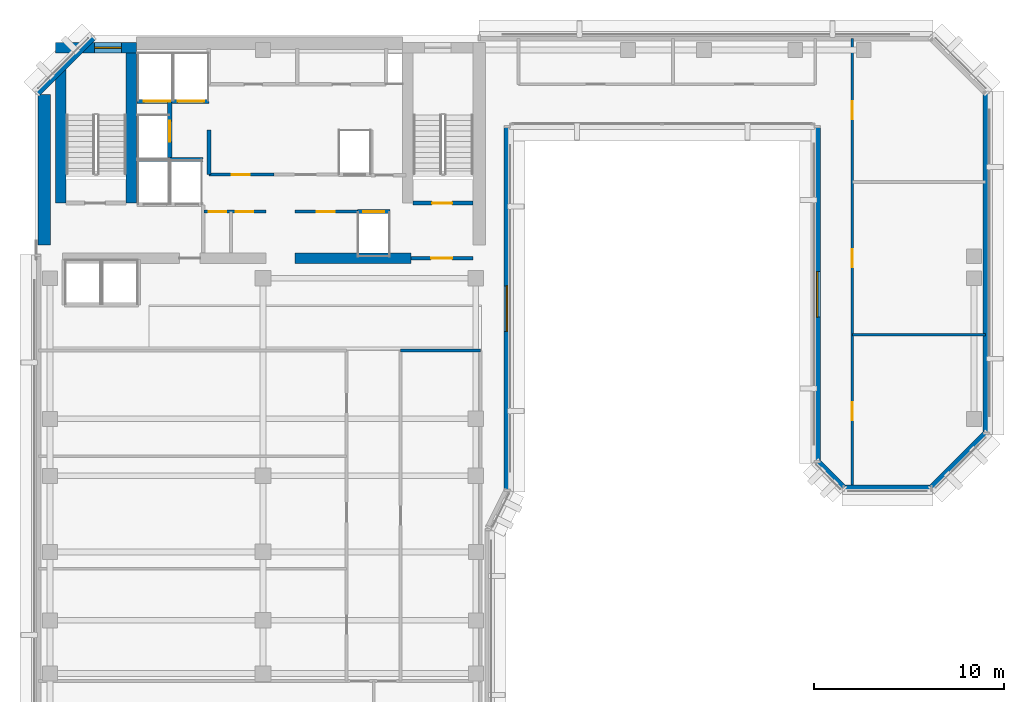
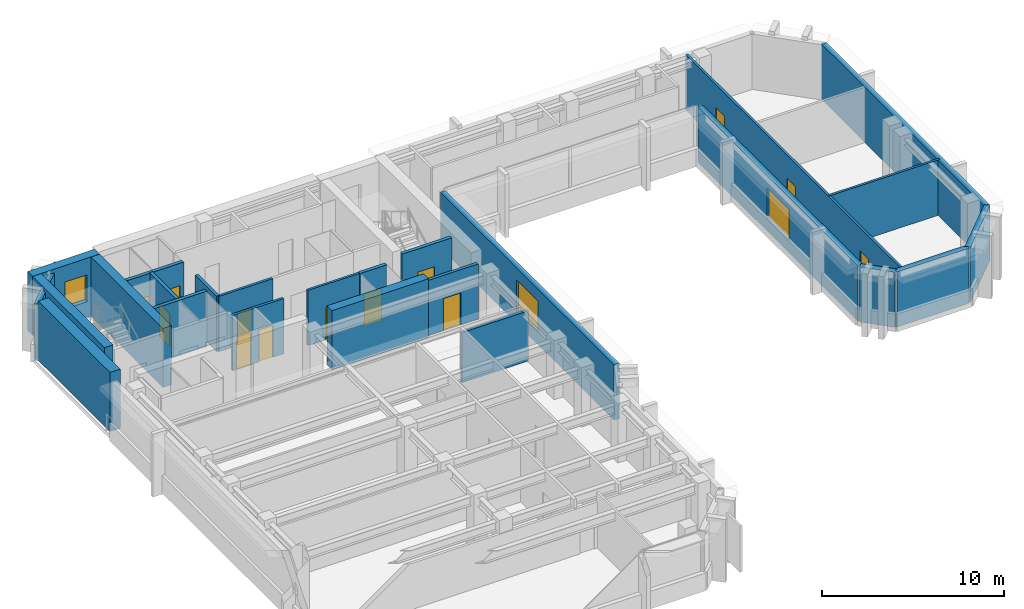
# One storey, part 6 of 11: 25 walls, 13 doors, 3 windows, 16 openings.
"""IFC4 building model written with IfcOpenShell, lengths in metres."""

from ifc_helpers import new_model, si_unit, direction, frame, frame_2d, origin, place, context, subcontext, project, spatial, rectangle, extrude, material, layer, layer_set, type_object, element, fill, save


model = new_model("IFC4")

# Units and contexts
model_context = context("Model", 3, precision=1e-05, world=origin(), true_north=direction((0.0, 1.0)))
body_context = subcontext(model_context, "Body", "Model", "MODEL_VIEW")
ifc_project = project(units=[si_unit("LENGTHUNIT", "METRE"), si_unit("AREAUNIT", "SQUARE_METRE"), si_unit("VOLUMEUNIT", "CUBIC_METRE"), si_unit("PLANEANGLEUNIT", "RADIAN"), si_unit("MASSUNIT", "GRAM", prefix="KILO")], contexts=[model_context])

# Site, building, storey
site_placement = place(None, origin())
site = spatial("IfcSite", under=ifc_project, at=site_placement, CompositionType="ELEMENT")
building_placement = place(site_placement, origin())
building = spatial("IfcBuilding", under=site, at=building_placement, Name="Kefirva Bronze Tower", CompositionType="ELEMENT")
storey_placement = place(building_placement, frame((0.0, 0.0, 223.739990234375)))
storey = spatial("IfcBuildingStorey", under=building, at=storey_placement, Name="L54", CompositionType="ELEMENT", Elevation=223.739990234375)

# Wall, opening, door
ifc_material_1 = material(Name="Gypsum acoustic partition")
ifc_layer_1 = layer(ifc_material_1, 0.14990234375, Name="Gypsum acoustic partition")
ifc_layer_set_1 = layer_set([ifc_layer_1], Name="Gypsum acoustic partition")
wall_type_1 = type_object("IfcWallType", Name="Executive Suite Partition 150mm", PredefinedType="PARTITIONING", material=ifc_layer_set_1)
wall_1_placement = place(storey_placement, frame((13.679931640625, 36.699951171875, 0.0), z_axis=(0.0, 0.0, 1.0), x_axis=(1.0, 0.0, 0.0)))
wall_1 = element("IfcWall", 1, at=wall_1_placement, inside=storey, type_object=wall_type_1, Name="L54 Partition W-L54-RECMP1", PredefinedType="PARTITIONING", context=body_context, shape_type="SweptSolid", body=[
    extrude(rectangle(XDim=3.280029296875, YDim=0.14990234375, at=frame_2d((1.64013671875, 0.0))), origin(), (0.0, 0.0, 1.0), 3.7099609375),
])
opening_1_placement = place(wall_1_placement, frame((1.14990234375, 0.0, 0.0)))
opening_1 = element("IfcOpeningElement", 2, at=opening_1_placement, cuts=wall_1, Name="Opening L54-D-RECMP1", PredefinedType="OPENING", context=body_context, shape_type="SweptSolid", body=[
    extrude(rectangle(XDim=0.949951171875, YDim=2.14990234375, at=frame_2d((0.47509765625, 1.074951171875))), frame((0.0, 0.0849609375, 0.0), z_axis=(0.0, -1.0, 0.0), x_axis=(1.0, 0.0, 0.0)), (0.0, 0.0, 1.0), 0.169921875),
])
ifc_material_2 = material(Name="Acoustic hardwood oak", Category="wood")
door_type_1 = type_object("IfcDoorType", Name="Office & Meeting Room Door 950x2150", OperationType="NOTDEFINED", PredefinedType="DOOR", material=ifc_material_2)
door_1_placement = place(opening_1_placement, origin())
door_1 = element("IfcDoor", 3, at=door_1_placement, inside=storey, type_object=door_type_1, Name="Door L54-D-RECMP1", OperationType="SINGLE_SWING_RIGHT", OverallHeight=2.14990234375, OverallWidth=0.949951171875, PredefinedType="DOOR", context=body_context, shape_type="SweptSolid", body=[
    extrude(rectangle(XDim=0.949951171875, YDim=2.14990234375, at=frame_2d((0.47509765625, 1.074951171875))), frame((0.0, 0.02490234375, 0.0), z_axis=(0.0, -1.0, 0.0), x_axis=(1.0, 0.0, 0.0)), (0.0, 0.0, 1.0), 0.050048828125),
])
fill(opening_1, door_1)

# Wall, openings, doors
wall_2_placement = place(storey_placement, frame((43.0, 22.18994140625, 0.0), z_axis=(0.0, 0.0, 1.0), x_axis=(0.0, 1.0, 0.0)))
wall_2 = element("IfcWall", 4, at=wall_2_placement, inside=storey, type_object=wall_type_1, Name="L54 Partition W-L54-PVEST", PredefinedType="PARTITIONING", context=body_context, shape_type="SweptSolid", body=[
    extrude(rectangle(XDim=23.6201171875, YDim=0.14990234375, at=frame_2d((11.81005859375, 0.0))), origin(), (0.0, 0.0, 1.0), 3.7099609375),
])
opening_2_placement = place(wall_2_placement, frame((3.540283203125, 0.0, 0.0)))
opening_2 = element("IfcOpeningElement", 5, at=opening_2_placement, cuts=wall_2, Name="Opening L54-D-EPV1", PredefinedType="OPENING", context=body_context, shape_type="SweptSolid", body=[
    extrude(rectangle(XDim=0.949951171875, YDim=2.14990234375, at=frame_2d((0.47509765625, 1.074951171875))), frame((0.0, 0.0849609375, 0.0), z_axis=(0.0, -1.0, 0.0), x_axis=(1.0, 0.0, 0.0)), (0.0, 0.0, 1.0), 0.169921875),
])
opening_3_placement = place(wall_2_placement, frame((11.5712890625, 0.0, 0.0)))
opening_3 = element("IfcOpeningElement", 6, at=opening_3_placement, cuts=wall_2, Name="Opening L54-D-EPV2", PredefinedType="OPENING", context=body_context, shape_type="SweptSolid", body=[
    extrude(rectangle(XDim=0.949951171875, YDim=2.14990234375, at=frame_2d((0.47509765625, 1.074951171875))), frame((0.0, 0.0849609375, 0.0), z_axis=(0.0, -1.0, 0.0), x_axis=(1.0, 0.0, 0.0)), (0.0, 0.0, 1.0), 0.169921875),
])
opening_4_placement = place(wall_2_placement, frame((19.36572265625, 0.0, 0.0)))
opening_4 = element("IfcOpeningElement", 7, at=opening_4_placement, cuts=wall_2, Name="Opening L54-D-EPV3", PredefinedType="OPENING", context=body_context, shape_type="SweptSolid", body=[
    extrude(rectangle(XDim=0.949951171875, YDim=2.14990234375, at=frame_2d((0.47509765625, 1.074951171875))), frame((0.0, 0.0849609375, 0.0), z_axis=(0.0, -1.0, 0.0), x_axis=(1.0, 0.0, 0.0)), (0.0, 0.0, 1.0), 0.169921875),
])
door_2_placement = place(opening_2_placement, origin())
door_2 = element("IfcDoor", 8, at=door_2_placement, inside=storey, type_object=door_type_1, Name="Door L54-D-EPV1", OperationType="SINGLE_SWING_RIGHT", OverallHeight=2.14990234375, OverallWidth=0.949951171875, PredefinedType="DOOR", context=body_context, shape_type="SweptSolid", body=[
    extrude(rectangle(XDim=0.949951171875, YDim=2.14990234375, at=frame_2d((0.47509765625, 1.074951171875))), frame((0.0, 0.02490234375, 0.0), z_axis=(0.0, -1.0, 0.0), x_axis=(1.0, 0.0, 0.0)), (0.0, 0.0, 1.0), 0.050048828125),
])
fill(opening_2, door_2)
door_3_placement = place(opening_3_placement, origin())
door_3 = element("IfcDoor", 9, at=door_3_placement, inside=storey, type_object=door_type_1, Name="Door L54-D-EPV2", OperationType="SINGLE_SWING_LEFT", OverallHeight=2.14990234375, OverallWidth=0.949951171875, PredefinedType="DOOR", context=body_context, shape_type="SweptSolid", body=[
    extrude(rectangle(XDim=0.949951171875, YDim=2.14990234375, at=frame_2d((0.47509765625, 1.074951171875))), frame((0.0, 0.02490234375, 0.0), z_axis=(0.0, -1.0, 0.0), x_axis=(1.0, 0.0, 0.0)), (0.0, 0.0, 1.0), 0.050048828125),
])
fill(opening_3, door_3)
door_4_placement = place(opening_4_placement, origin())
door_4 = element("IfcDoor", 10, at=door_4_placement, inside=storey, type_object=door_type_1, Name="Door L54-D-EPV3", OperationType="SINGLE_SWING_RIGHT", OverallHeight=2.14990234375, OverallWidth=0.949951171875, PredefinedType="DOOR", context=body_context, shape_type="SweptSolid", body=[
    extrude(rectangle(XDim=0.949951171875, YDim=2.14990234375, at=frame_2d((0.47509765625, 1.074951171875))), frame((0.0, 0.02490234375, 0.0), z_axis=(0.0, -1.0, 0.0), x_axis=(1.0, 0.0, 0.0)), (0.0, 0.0, 1.0), 0.050048828125),
])
fill(opening_4, door_4)

# Wall
wall_3_placement = place(storey_placement, frame((43.0, 30.220703125, 0.0), z_axis=(0.0, 0.0, 1.0), x_axis=(1.0, 0.0, 0.0)))
element("IfcWall", 11, at=wall_3_placement, inside=storey, type_object=wall_type_1, Name="L54 Partition W-L54-EPVD1", PredefinedType="PARTITIONING", context=body_context, shape_type="SweptSolid", body=[
    extrude(rectangle(XDim=7.010009765625, YDim=0.14990234375, at=frame_2d((3.5048828125, 0.0))), origin(), (0.0, 0.0, 1.0), 3.7099609375),
])

# Wall, opening, door
ifc_material_3 = material(Name="Gypsum fireboard shaftwall")
ifc_layer_2 = layer(ifc_material_3, 0.219970703125, Name="Gypsum fireboard shaftwall")
ifc_layer_set_2 = layer_set([ifc_layer_2], Name="Gypsum fireboard shaftwall")
wall_type_2 = type_object("IfcWallType", Name="Fire-Rated Shaft Enclosure Wall 220mm", PredefinedType="PARTITIONING", material=ifc_layer_set_2)
wall_4_placement = place(storey_placement, frame((19.89990234375, 37.14990234375, 0.0), z_axis=(0.0, 0.0, 1.0), x_axis=(1.0, 0.0, 0.0)))
wall_4 = element("IfcWall", 12, at=wall_4_placement, inside=storey, type_object=wall_type_2, Name="L54 Partition W-L54-ST2S", PredefinedType="PARTITIONING", context=body_context, shape_type="SweptSolid", body=[
    extrude(rectangle(XDim=3.150146484375, YDim=0.219970703125, at=frame_2d((1.5751953125, 0.0))), origin(), (0.0, 0.0, 1.0), 3.7099609375),
])
opening_5_placement = place(wall_4_placement, frame((2.050048828125, 0.0, 0.0), z_axis=(0.0, 0.0, 1.0), x_axis=(-1.0, 0.0, 0.0)))
opening_5 = element("IfcOpeningElement", 13, at=opening_5_placement, cuts=wall_4, Name="Opening L54-D003", PredefinedType="OPENING", context=body_context, shape_type="SweptSolid", body=[
    extrude(rectangle(XDim=1.050048828125, YDim=2.14990234375, at=frame_2d((0.52490234375, 1.074951171875))), frame((0.0, 0.1201171875, 0.0), z_axis=(0.0, -1.0, 0.0), x_axis=(1.0, 0.0, 0.0)), (0.0, 0.0, 1.0), 0.239990234375),
])
ifc_material_4 = material(Name="Painted galvanized steel", Category="steel")
door_type_2 = type_object("IfcDoorType", Name="Fire Stair Enclosure Door 1050x2150 FD90S", OperationType="NOTDEFINED", PredefinedType="DOOR", material=ifc_material_4)
door_5_placement = place(opening_5_placement, origin())
door_5 = element("IfcDoor", 14, at=door_5_placement, inside=storey, type_object=door_type_2, Name="Door L54-D003", OperationType="SINGLE_SWING_RIGHT", OverallHeight=2.14990234375, OverallWidth=1.050048828125, PredefinedType="DOOR", context=body_context, shape_type="SweptSolid", body=[
    extrude(rectangle(XDim=1.050048828125, YDim=2.14990234375, at=frame_2d((0.52490234375, 1.074951171875))), frame((0.0, 0.02490234375, 0.0), z_axis=(0.0, -1.0, 0.0), x_axis=(1.0, 0.0, 0.0)), (0.0, 0.0, 1.0), 0.050048828125),
])
fill(opening_5, door_5)

# Wall
wall_5_placement = place(storey_placement, frame((5.3798828125, 39.449951171875, 0.0), z_axis=(0.0, 0.0, 1.0), x_axis=(1.0, 0.0, 0.0)))
element("IfcWall", 15, at=wall_5_placement, inside=storey, type_object=wall_type_2, Name="L54 Partition W-L54-FFN", PredefinedType="PARTITIONING", context=body_context, shape_type="SweptSolid", body=[
    extrude(rectangle(XDim=3.460205078125, YDim=0.219970703125, at=frame_2d((1.72998046875, 0.0))), origin(), (0.0, 0.0, 1.0), 3.7099609375),
])

# Wall, openings, doors
wall_6_placement = place(storey_placement, frame((5.3798828125, 42.5, 0.0), z_axis=(0.0, 0.0, 1.0), x_axis=(1.0, 0.0, 0.0)))
wall_6 = element("IfcWall", 16, at=wall_6_placement, inside=storey, type_object=wall_type_2, Name="L54 Partition W-L54-SVS", PredefinedType="PARTITIONING", context=body_context, shape_type="SweptSolid", body=[
    extrude(rectangle(XDim=3.77001953125, YDim=0.219970703125, at=frame_2d((1.885009765625, 0.0))), origin(), (0.0, 0.0, 1.0), 3.7099609375),
])
opening_6_placement = place(wall_6_placement, frame((1.75, 0.0, 0.0), z_axis=(0.0, 0.0, 1.0), x_axis=(-1.0, 0.0, 0.0)))
opening_6 = element("IfcOpeningElement", 17, at=opening_6_placement, cuts=wall_6, Name="Opening L54-LD-SV1", PredefinedType="OPENING", context=body_context, shape_type="SweptSolid", body=[
    extrude(rectangle(XDim=1.39990234375, YDim=2.199951171875, at=frame_2d((0.699951171875, 1.10009765625))), frame((0.0, 0.1201171875, 0.0), z_axis=(0.0, -1.0, 0.0), x_axis=(1.0, 0.0, 0.0)), (0.0, 0.0, 1.0), 0.239990234375),
])
opening_7_placement = place(wall_6_placement, frame((3.52978515625, 0.0, 0.0), z_axis=(0.0, 0.0, 1.0), x_axis=(-1.0, 0.0, 0.0)))
opening_7 = element("IfcOpeningElement", 18, at=opening_7_placement, cuts=wall_6, Name="Opening L54-LD-SV2", PredefinedType="OPENING", context=body_context, shape_type="SweptSolid", body=[
    extrude(rectangle(XDim=1.39990234375, YDim=2.199951171875, at=frame_2d((0.699951171875, 1.10009765625))), frame((0.0, 0.1201171875, 0.0), z_axis=(0.0, -1.0, 0.0), x_axis=(1.0, 0.0, 0.0)), (0.0, 0.0, 1.0), 0.239990234375),
])
ifc_material_5 = material(Name="Stainless steel 316", Category="steel")
door_type_3 = type_object("IfcDoorType", Name="Goods Lift Bi-Parting Sliding Door 1400x2200", OperationType="SLIDING_TO_LEFT", PredefinedType="DOOR", material=ifc_material_5)
door_6_placement = place(opening_6_placement, origin())
door_6 = element("IfcDoor", 19, at=door_6_placement, inside=storey, type_object=door_type_3, Name="Door L54-LD-SV1", OperationType="SLIDING_TO_LEFT", OverallHeight=2.199951171875, OverallWidth=1.39990234375, PredefinedType="DOOR", context=body_context, shape_type="SweptSolid", body=[
    extrude(rectangle(XDim=1.39990234375, YDim=2.199951171875, at=frame_2d((0.699951171875, 1.10009765625))), frame((0.0, 0.02490234375, 0.0), z_axis=(0.0, -1.0, 0.0), x_axis=(1.0, 0.0, 0.0)), (0.0, 0.0, 1.0), 0.050048828125),
])
fill(opening_6, door_6)
door_7_placement = place(opening_7_placement, origin())
door_7 = element("IfcDoor", 20, at=door_7_placement, inside=storey, type_object=door_type_3, Name="Door L54-LD-SV2", OperationType="SLIDING_TO_LEFT", OverallHeight=2.199951171875, OverallWidth=1.39990234375, PredefinedType="DOOR", context=body_context, shape_type="SweptSolid", body=[
    extrude(rectangle(XDim=1.39990234375, YDim=2.199951171875, at=frame_2d((0.699951171875, 1.10009765625))), frame((0.0, 0.02490234375, 0.0), z_axis=(0.0, -1.0, 0.0), x_axis=(1.0, 0.0, 0.0)), (0.0, 0.0, 1.0), 0.050048828125),
])
fill(opening_7, door_7)

# Wall, opening, door
wall_7_placement = place(storey_placement, frame((7.10009765625, 39.52001953125, 0.0), z_axis=(0.0, 0.0, 1.0), x_axis=(0.0, 1.0, 0.0)))
wall_7 = element("IfcWall", 21, at=wall_7_placement, inside=storey, type_object=wall_type_2, Name="L54 Partition W-L54-HP3E", PredefinedType="PARTITIONING", context=body_context, shape_type="SweptSolid", body=[
    extrude(rectangle(XDim=2.929931640625, YDim=0.219970703125, at=frame_2d((1.46484375, 0.0))), origin(), (0.0, 0.0, 1.0), 3.7099609375),
])
opening_8_placement = place(wall_7_placement, frame((0.85009765625, 0.0, 0.0)))
opening_8 = element("IfcOpeningElement", 22, at=opening_8_placement, cuts=wall_7, Name="Opening L54-LD-HP3", PredefinedType="OPENING", context=body_context, shape_type="SweptSolid", body=[
    extrude(rectangle(XDim=1.10009765625, YDim=2.199951171875, at=frame_2d((0.550048828125, 1.10009765625))), frame((0.0, 0.1201171875, 0.0), z_axis=(0.0, -1.0, 0.0), x_axis=(1.0, 0.0, 0.0)), (0.0, 0.0, 1.0), 0.239990234375),
])
door_type_4 = type_object("IfcDoorType", Name="Passenger Lift Sliding Landing Door 1100x2200", OperationType="SLIDING_TO_LEFT", PredefinedType="DOOR", material=ifc_material_5)
door_8_placement = place(opening_8_placement, origin())
door_8 = element("IfcDoor", 23, at=door_8_placement, inside=storey, type_object=door_type_4, Name="Door L54-LD-HP3", OperationType="SLIDING_TO_LEFT", OverallHeight=2.199951171875, OverallWidth=1.10009765625, PredefinedType="DOOR", context=body_context, shape_type="SweptSolid", body=[
    extrude(rectangle(XDim=1.10009765625, YDim=2.199951171875, at=frame_2d((0.550048828125, 1.10009765625))), frame((0.0, 0.02490234375, 0.0), z_axis=(0.0, -1.0, 0.0), x_axis=(1.0, 0.0, 0.0)), (0.0, 0.0, 1.0), 0.050048828125),
])
fill(opening_8, door_8)

# Wall
wall_8_placement = place(storey_placement, frame((9.159912109375, 38.64990234375, 0.0), z_axis=(0.0, 0.0, 1.0), x_axis=(0.0, 1.0, 0.0)))
element("IfcWall", 24, at=wall_8_placement, inside=storey, type_object=wall_type_2, Name="L54 Partition W-L54-LP3W", PredefinedType="PARTITIONING", context=body_context, shape_type="SweptSolid", body=[
    extrude(rectangle(XDim=2.35009765625, YDim=0.199951171875, at=frame_2d((1.175048828125, 0.0))), origin(), (0.0, 0.0, 1.0), 3.7099609375),
])

# Wall, opening, door
wall_9_placement = place(storey_placement, frame((16.97998046875, 36.699951171875, 0.0), z_axis=(0.0, 0.0, 1.0), x_axis=(1.0, 0.0, 0.0)))
wall_9 = element("IfcWall", 25, at=wall_9_placement, inside=storey, type_object=wall_type_2, Name="L54 Partition W-L54-HPS", PredefinedType="PARTITIONING", context=body_context, shape_type="SweptSolid", body=[
    extrude(rectangle(XDim=1.699951171875, YDim=0.219970703125, at=frame_2d((0.85009765625, 0.0))), origin(), (0.0, 0.0, 1.0), 3.7099609375),
])
opening_9_placement = place(wall_9_placement, frame((0.300048828125, 0.0, 0.0)))
opening_9 = element("IfcOpeningElement", 26, at=opening_9_placement, cuts=wall_9, Name="Opening L54-LD-HP1", PredefinedType="OPENING", context=body_context, shape_type="SweptSolid", body=[
    extrude(rectangle(XDim=1.10009765625, YDim=2.199951171875, at=frame_2d((0.550048828125, 1.10009765625))), frame((0.0, 0.1201171875, 0.0), z_axis=(0.0, -1.0, 0.0), x_axis=(1.0, 0.0, 0.0)), (0.0, 0.0, 1.0), 0.239990234375),
])
door_9_placement = place(opening_9_placement, origin())
door_9 = element("IfcDoor", 27, at=door_9_placement, inside=storey, type_object=door_type_4, Name="Door L54-LD-HP1", OperationType="SLIDING_TO_LEFT", OverallHeight=2.199951171875, OverallWidth=1.10009765625, PredefinedType="DOOR", context=body_context, shape_type="SweptSolid", body=[
    extrude(rectangle(XDim=1.10009765625, YDim=2.199951171875, at=frame_2d((0.550048828125, 1.10009765625))), frame((0.0, 0.02490234375, 0.0), z_axis=(0.0, -1.0, 0.0), x_axis=(1.0, 0.0, 0.0)), (0.0, 0.0, 1.0), 0.050048828125),
])
fill(opening_9, door_9)

ifc_material_6 = material(Name="Gypsum fireboard barrier")
ifc_layer_3 = layer(ifc_material_6, 0.199951171875, Name="Gypsum fireboard barrier")
ifc_layer_set_3 = layer_set([ifc_layer_3], Name="Gypsum fireboard barrier")
wall_type_3 = type_object("IfcWallType", Name="Firefighting Lobby Barrier Wall 200mm", PredefinedType="PARTITIONING", material=ifc_layer_set_3)
wall_10_placement = place(storey_placement, frame((19.800048828125, 34.25, 0.0), z_axis=(0.0, 0.0, 1.0), x_axis=(1.0, 0.0, 0.0)))
wall_10 = element("IfcWall", 28, at=wall_10_placement, inside=storey, type_object=wall_type_3, Name="L54 Partition W-L54-ST2F", PredefinedType="PARTITIONING", context=body_context, shape_type="SweptSolid", body=[
    extrude(rectangle(XDim=3.25, YDim=0.199951171875, at=frame_2d((1.625, 0.0))), origin(), (0.0, 0.0, 1.0), 3.7099609375),
])
opening_10_placement = place(wall_10_placement, frame((2.150146484375, 0.0, 0.0), z_axis=(0.0, 0.0, 1.0), x_axis=(-1.0, 0.0, 0.0)))
opening_10 = element("IfcOpeningElement", 29, at=opening_10_placement, cuts=wall_10, Name="Opening L54-D004", PredefinedType="OPENING", context=body_context, shape_type="SweptSolid", body=[
    extrude(rectangle(XDim=1.10009765625, YDim=2.14990234375, at=frame_2d((0.550048828125, 1.074951171875))), frame((0.0, 0.10986328125, 0.0), z_axis=(0.0, -1.0, 0.0), x_axis=(1.0, 0.0, 0.0)), (0.0, 0.0, 1.0), 0.219970703125),
])
door_type_5 = type_object("IfcDoorType", Name="Firefighting Lobby Smoke Door 1100x2150 FD60S", OperationType="NOTDEFINED", PredefinedType="DOOR", material=ifc_material_4)
door_10_placement = place(opening_10_placement, origin())
door_10 = element("IfcDoor", 30, at=door_10_placement, inside=storey, type_object=door_type_5, Name="Door L54-D004", OperationType="SINGLE_SWING_LEFT", OverallHeight=2.14990234375, OverallWidth=1.10009765625, PredefinedType="DOOR", context=body_context, shape_type="SweptSolid", body=[
    extrude(rectangle(XDim=1.10009765625, YDim=2.14990234375, at=frame_2d((0.550048828125, 1.074951171875))), frame((0.0, 0.02490234375, 0.0), z_axis=(0.0, -1.0, 0.0), x_axis=(1.0, 0.0, 0.0)), (0.0, 0.0, 1.0), 0.050048828125),
])
fill(opening_10, door_10)

# Wall, opening, window
ifc_material_7 = material(Name="Precast concrete C40/50", Category="concrete")
ifc_layer_4 = layer(ifc_material_7, 0.320068359375, Name="Precast concrete C40/50")
ifc_layer_set_4 = layer_set([ifc_layer_4], Name="Precast concrete C40/50")
wall_type_4 = type_object("IfcWallType", Name="Precast Insulated Exterior Wall 320mm", PredefinedType="SOLIDWALL", material=ifc_layer_set_4)
wall_11_placement = place(storey_placement, frame((24.840087890625, 22.054931640625, 0.0), z_axis=(0.0, 0.0, 1.0), x_axis=(0.0, 1.0, 0.0)))
wall_11 = element("IfcWall", 31, at=wall_11_placement, inside=storey, type_object=wall_type_4, Name="L54 Exterior Facade Wall 4", PredefinedType="SOLIDWALL", context=body_context, shape_type="SweptSolid", body=[
    extrude(rectangle(XDim=19.090087890625, YDim=0.320068359375, at=frame_2d((9.544921875, 0.0))), origin(), (0.0, 0.0, 1.0), 3.7099609375),
])
opening_11_placement = place(wall_11_placement, frame((8.344970703125, 0.0, 0.85009765625)))
opening_11 = element("IfcOpeningElement", 32, at=opening_11_placement, cuts=wall_11, Name="Opening WN-01", PredefinedType="OPENING", context=body_context, shape_type="SweptSolid", body=[
    extrude(rectangle(XDim=2.39990234375, YDim=2.050048828125, at=frame_2d((1.199951171875, 1.02490234375))), frame((0.0, 0.169921875, 0.0), z_axis=(0.0, -1.0, 0.0), x_axis=(1.0, 0.0, 0.0)), (0.0, 0.0, 1.0), 0.340087890625),
])
ifc_material_8 = material(Name="Laminated low-E double glazing", Category="glass")
window_type_1 = type_object("IfcWindowType", Name="Streamline Ribbon Window 2400x2050", PartitioningType="SINGLE_PANEL", PredefinedType="WINDOW", material=ifc_material_8)
window_1_placement = place(opening_11_placement, origin())
window_1 = element("IfcWindow", 33, at=window_1_placement, inside=storey, type_object=window_type_1, Name="L54 Ribbon Window 4", OverallHeight=2.050048828125, OverallWidth=2.39990234375, PartitioningType="SINGLE_PANEL", PredefinedType="WINDOW", context=body_context, shape_type="SweptSolid", body=[
    extrude(rectangle(XDim=2.39990234375, YDim=2.050048828125, at=frame_2d((1.199951171875, 1.02490234375))), frame((0.0, 0.030029296875, 0.0), z_axis=(0.0, -1.0, 0.0), x_axis=(1.0, 0.0, 0.0)), (0.0, 0.0, 1.0), 0.06005859375),
])
fill(opening_11, window_1)

wall_12_placement = place(storey_placement, frame((41.159912109375, 41.14501953125, 0.0), z_axis=(0.0, 0.0, 1.0), x_axis=(0.0, -1.0, 0.0)))
wall_12 = element("IfcWall", 34, at=wall_12_placement, inside=storey, type_object=wall_type_4, Name="L54 Exterior Facade Wall 5", PredefinedType="SOLIDWALL", context=body_context, shape_type="SweptSolid", body=[
    extrude(rectangle(XDim=17.590087890625, YDim=0.320068359375, at=frame_2d((8.794921875, 0.0))), origin(), (0.0, 0.0, 1.0), 3.7099609375),
])
opening_12_placement = place(wall_12_placement, frame((7.594970703125, 0.0, 0.85009765625)))
opening_12 = element("IfcOpeningElement", 35, at=opening_12_placement, cuts=wall_12, Name="Opening WN-01", PredefinedType="OPENING", context=body_context, shape_type="SweptSolid", body=[
    extrude(rectangle(XDim=2.39990234375, YDim=2.050048828125, at=frame_2d((1.199951171875, 1.02490234375))), frame((0.0, 0.169921875, 0.0), z_axis=(0.0, -1.0, 0.0), x_axis=(1.0, 0.0, 0.0)), (0.0, 0.0, 1.0), 0.340087890625),
])
window_2_placement = place(opening_12_placement, origin())
window_2 = element("IfcWindow", 36, at=window_2_placement, inside=storey, type_object=window_type_1, Name="L54 Ribbon Window 5", OverallHeight=2.050048828125, OverallWidth=2.39990234375, PartitioningType="SINGLE_PANEL", PredefinedType="WINDOW", context=body_context, shape_type="SweptSolid", body=[
    extrude(rectangle(XDim=2.39990234375, YDim=2.050048828125, at=frame_2d((1.199951171875, 1.02490234375))), frame((0.0, 0.030029296875, 0.0), z_axis=(0.0, -1.0, 0.0), x_axis=(1.0, 0.0, 0.0)), (0.0, 0.0, 1.0), 0.06005859375),
])
fill(opening_12, window_2)

# Walls
wall_13_placement = place(storey_placement, frame((41.152099609375, 23.57421875, 0.0), z_axis=(0.0, 0.0, 1.0), x_axis=(0.707106781187, -0.707106781187, 0.0)))
element("IfcWall", 37, at=wall_13_placement, inside=storey, type_object=wall_type_4, Name="L54 Exterior Facade Wall 6", PredefinedType="SOLIDWALL", context=body_context, shape_type="SweptSolid", body=[
    extrude(rectangle(XDim=2.01123046875, YDim=0.320068359375, at=frame_2d((1.005615234375, 0.0))), origin(), (0.0, 0.0, 1.0), 3.7099609375),
])
wall_14_placement = place(storey_placement, frame((42.554931640625, 22.159912109375, 0.0), z_axis=(0.0, 0.0, 1.0), x_axis=(1.0, 0.0, 0.0)))
element("IfcWall", 38, at=wall_14_placement, inside=storey, type_object=wall_type_4, Name="L54 Exterior Facade Wall 7", PredefinedType="SOLIDWALL", context=body_context, shape_type="SweptSolid", body=[
    extrude(rectangle(XDim=4.590087890625, YDim=0.320068359375, at=frame_2d((2.294921875, 0.0))), origin(), (0.0, 0.0, 1.0), 3.7099609375),
])
wall_15_placement = place(storey_placement, frame((47.125732421875, 22.152099609375, 0.0), z_axis=(0.0, 0.0, 1.0), x_axis=(0.707136318428, 0.707077242712, 0.0)))
element("IfcWall", 39, at=wall_15_placement, inside=storey, type_object=wall_type_4, Name="L54 Exterior Facade Wall 8", PredefinedType="SOLIDWALL", context=body_context, shape_type="SweptSolid", body=[
    extrude(rectangle(XDim=4.132568359375, YDim=0.320068359375, at=frame_2d((2.06640625, 0.0))), origin(), (0.0, 0.0, 1.0), 3.7099609375),
])
wall_16_placement = place(storey_placement, frame((50.0400390625, 25.054931640625, 0.0), z_axis=(0.0, 0.0, 1.0), x_axis=(0.0, 1.0, 0.0)))
element("IfcWall", 40, at=wall_16_placement, inside=storey, type_object=wall_type_4, Name="L54 Exterior Facade Wall 9", PredefinedType="SOLIDWALL", context=body_context, shape_type="SweptSolid", body=[
    extrude(rectangle(XDim=17.89013671875, YDim=0.320068359375, at=frame_2d((8.945068359375, 0.0))), origin(), (0.0, 0.0, 1.0), 3.7099609375),
])
wall_17_placement = place(storey_placement, frame((3.07421875, 45.847900390625, 0.0), z_axis=(0.0, 0.0, 1.0), x_axis=(-0.707106781187, -0.707106781187, 0.0)))
element("IfcWall", 41, at=wall_17_placement, inside=storey, type_object=wall_type_4, Name="L54 Exterior Facade Wall 12", PredefinedType="SOLIDWALL", context=body_context, shape_type="SweptSolid", body=[
    extrude(rectangle(XDim=4.132568359375, YDim=0.320068359375, at=frame_2d((2.06640625, 0.0))), origin(), (0.0, 0.0, 1.0), 3.7099609375),
])

# Wall, openings, doors
ifc_layer_5 = layer(ifc_material_1, 0.159912109375, Name="Gypsum acoustic partition")
ifc_layer_set_5 = layer_set([ifc_layer_5], Name="Gypsum acoustic partition")
wall_type_5 = type_object("IfcWallType", Name="Protected Corridor Partition 160mm", PredefinedType="PARTITIONING", material=ifc_layer_set_5)
wall_18_placement = place(storey_placement, frame((8.89990234375, 36.699951171875, 0.0), z_axis=(0.0, 0.0, 1.0), x_axis=(1.0, 0.0, 0.0)))
wall_18 = element("IfcWall", 42, at=wall_18_placement, inside=storey, type_object=wall_type_5, Name="L54 Partition W-L54-RECLP1", PredefinedType="PARTITIONING", context=body_context, shape_type="SweptSolid", body=[
    extrude(rectangle(XDim=3.25, YDim=0.159912109375, at=frame_2d((1.625, 0.0))), origin(), (0.0, 0.0, 1.0), 3.7099609375),
])
opening_13_placement = place(wall_18_placement, frame((0.260009765625, 0.0, 0.0)))
opening_13 = element("IfcOpeningElement", 43, at=opening_13_placement, cuts=wall_18, Name="Opening L54-D-RECLP1A", PredefinedType="OPENING", context=body_context, shape_type="SweptSolid", body=[
    extrude(rectangle(XDim=0.89990234375, YDim=2.14990234375, at=frame_2d((0.449951171875, 1.074951171875))), frame((0.0, 0.08984375, 0.0), z_axis=(0.0, -1.0, 0.0), x_axis=(1.0, 0.0, 0.0)), (0.0, 0.0, 1.0), 0.179931640625),
])
opening_14_placement = place(wall_18_placement, frame((1.679931640625, 0.0, 0.0)))
opening_14 = element("IfcOpeningElement", 44, at=opening_14_placement, cuts=wall_18, Name="Opening L54-D-RECLP1B", PredefinedType="OPENING", context=body_context, shape_type="SweptSolid", body=[
    extrude(rectangle(XDim=0.89990234375, YDim=2.14990234375, at=frame_2d((0.449951171875, 1.074951171875))), frame((0.0, 0.08984375, 0.0), z_axis=(0.0, -1.0, 0.0), x_axis=(1.0, 0.0, 0.0)), (0.0, 0.0, 1.0), 0.179931640625),
])
door_type_6 = type_object("IfcDoorType", Name="Core Archive & Server Fire Door 900x2150 FD60S", OperationType="NOTDEFINED", PredefinedType="DOOR", material=ifc_material_4)
door_11_placement = place(opening_13_placement, origin())
door_11 = element("IfcDoor", 45, at=door_11_placement, inside=storey, type_object=door_type_6, Name="Door L54-D-RECLP1A", OperationType="SINGLE_SWING_LEFT", OverallHeight=2.14990234375, OverallWidth=0.89990234375, PredefinedType="DOOR", context=body_context, shape_type="SweptSolid", body=[
    extrude(rectangle(XDim=0.89990234375, YDim=2.14990234375, at=frame_2d((0.449951171875, 1.074951171875))), frame((0.0, 0.02490234375, 0.0), z_axis=(0.0, -1.0, 0.0), x_axis=(1.0, 0.0, 0.0)), (0.0, 0.0, 1.0), 0.050048828125),
])
fill(opening_13, door_11)
door_12_placement = place(opening_14_placement, origin())
door_12 = element("IfcDoor", 46, at=door_12_placement, inside=storey, type_object=door_type_6, Name="Door L54-D-RECLP1B", OperationType="SINGLE_SWING_RIGHT", OverallHeight=2.14990234375, OverallWidth=0.89990234375, PredefinedType="DOOR", context=body_context, shape_type="SweptSolid", body=[
    extrude(rectangle(XDim=0.89990234375, YDim=2.14990234375, at=frame_2d((0.449951171875, 1.074951171875))), frame((0.0, 0.02490234375, 0.0), z_axis=(0.0, -1.0, 0.0), x_axis=(1.0, 0.0, 0.0)), (0.0, 0.0, 1.0), 0.050048828125),
])
fill(opening_14, door_12)

# Wall, opening, door
wall_19_placement = place(storey_placement, frame((9.159912109375, 38.64990234375, 0.0), z_axis=(0.0, 0.0, 1.0), x_axis=(1.0, 0.0, 0.0)))
wall_19 = element("IfcWall", 47, at=wall_19_placement, inside=storey, type_object=wall_type_5, Name="L54 Partition W-L54-RECLP2", PredefinedType="PARTITIONING", context=body_context, shape_type="SweptSolid", body=[
    extrude(rectangle(XDim=3.420166015625, YDim=0.159912109375, at=frame_2d((1.7099609375, 0.0))), origin(), (0.0, 0.0, 1.0), 3.7099609375),
])
opening_15_placement = place(wall_19_placement, frame((2.14990234375, 0.0, 0.0), z_axis=(0.0, 0.0, 1.0), x_axis=(-1.0, 0.0, 0.0)))
opening_15 = element("IfcOpeningElement", 48, at=opening_15_placement, cuts=wall_19, Name="Opening L54-D-RECLP2", PredefinedType="OPENING", context=body_context, shape_type="SweptSolid", body=[
    extrude(rectangle(XDim=0.949951171875, YDim=2.14990234375, at=frame_2d((0.47509765625, 1.074951171875))), frame((0.0, 0.08984375, 0.0), z_axis=(0.0, -1.0, 0.0), x_axis=(1.0, 0.0, 0.0)), (0.0, 0.0, 1.0), 0.179931640625),
])
door_13_placement = place(opening_15_placement, origin())
door_13 = element("IfcDoor", 49, at=door_13_placement, inside=storey, type_object=door_type_1, Name="Door L54-D-RECLP2", OperationType="SINGLE_SWING_LEFT", OverallHeight=2.14990234375, OverallWidth=0.949951171875, PredefinedType="DOOR", context=body_context, shape_type="SweptSolid", body=[
    extrude(rectangle(XDim=0.949951171875, YDim=2.14990234375, at=frame_2d((0.47509765625, 1.074951171875))), frame((0.0, 0.02490234375, 0.0), z_axis=(0.0, -1.0, 0.0), x_axis=(1.0, 0.0, 0.0)), (0.0, 0.0, 1.0), 0.050048828125),
])
fill(opening_15, door_13)

# Wall
wall_20_placement = place(storey_placement, frame((19.239990234375, 29.39990234375, 0.0), z_axis=(0.0, 0.0, 1.0), x_axis=(1.0, 0.0, 0.0)))
element("IfcWall", 50, at=wall_20_placement, inside=storey, type_object=wall_type_5, Name="L54 Partition W-L54-NET", PredefinedType="PARTITIONING", context=body_context, shape_type="SweptSolid", body=[
    extrude(rectangle(XDim=4.2099609375, YDim=0.159912109375, at=frame_2d((2.10498046875, 0.0))), origin(), (0.0, 0.0, 1.0), 3.364990234375),
])

# Wall, opening, window
ifc_material_9 = material(Name="Concrete C50/60", Category="concrete")
ifc_layer_6 = layer(ifc_material_9, 0.550048828125, Name="Concrete C50/60")
ifc_layer_set_6 = layer_set([ifc_layer_6], Name="Concrete C50/60")
wall_type_6 = type_object("IfcWallType", Name="RC Rear Core Exterior Wall 550mm", PredefinedType="SHEAR", material=ifc_layer_set_6)
wall_21_placement = place(storey_placement, frame((1.10009765625, 45.320068359375, 0.0), z_axis=(0.0, 0.0, 1.0), x_axis=(1.0, 0.0, 0.0)))
wall_21 = element("IfcWall", 51, at=wall_21_placement, inside=storey, type_object=wall_type_6, Name="L54 Stair 1 North Shear Wall", PredefinedType="SHEAR", context=body_context, shape_type="SweptSolid", body=[
    extrude(rectangle(XDim=4.239990234375, YDim=0.550048828125, at=frame_2d((2.1201171875, 0.0))), origin(), (0.0, 0.0, 1.0), 3.9599609375),
])
opening_16_placement = place(wall_21_placement, frame((2.050048828125, 0.0, 1.050048828125)))
opening_16 = element("IfcOpeningElement", 52, at=opening_16_placement, cuts=wall_21, Name="Opening WN-03", PredefinedType="OPENING", context=body_context, shape_type="SweptSolid", body=[
    extrude(rectangle(XDim=1.39990234375, YDim=1.800048828125, at=frame_2d((0.699951171875, 0.89990234375))), frame((0.0, 0.28515625, 0.0), z_axis=(0.0, -1.0, 0.0), x_axis=(1.0, 0.0, 0.0)), (0.0, 0.0, 1.0), 0.570068359375),
])
window_type_2 = type_object("IfcWindowType", Name="Rear-Core Stair Daylight Window 1400x1800", PartitioningType="SINGLE_PANEL", PredefinedType="WINDOW", material=ifc_material_8)
window_3_placement = place(opening_16_placement, origin())
window_3 = element("IfcWindow", 53, at=window_3_placement, inside=storey, type_object=window_type_2, Name="L54 Stair 1 Daylight Window", OverallHeight=1.800048828125, OverallWidth=1.39990234375, PartitioningType="SINGLE_PANEL", PredefinedType="WINDOW", context=body_context, shape_type="SweptSolid", body=[
    extrude(rectangle(XDim=1.39990234375, YDim=1.800048828125, at=frame_2d((0.699951171875, 0.89990234375))), frame((0.0, 0.030029296875, 0.0), z_axis=(0.0, -1.0, 0.0), x_axis=(1.0, 0.0, 0.0)), (0.0, 0.0, 1.0), 0.06005859375),
])
fill(opening_16, window_3)

# Walls
ifc_layer_7 = layer(ifc_material_9, 0.64990234375, Name="Concrete C50/60")
ifc_layer_set_7 = layer_set([ifc_layer_7], Name="Concrete C50/60")
wall_type_7 = type_object("IfcWallType", Name="RC Rear Core Exterior Wall 650mm", PredefinedType="SHEAR", material=ifc_layer_set_7)
wall_22_placement = place(storey_placement, frame((0.5, 34.949951171875, 0.0), z_axis=(0.0, 0.0, 1.0), x_axis=(0.0, 1.0, 0.0)))
element("IfcWall", 54, at=wall_22_placement, inside=storey, type_object=wall_type_7, Name="L54 Rear Core West Shear Wall", PredefinedType="SHEAR", context=body_context, shape_type="SweptSolid", body=[
    extrude(rectangle(XDim=7.900146484375, YDim=0.64990234375, at=frame_2d((3.9501953125, 0.0))), origin(), (0.0, 0.0, 1.0), 3.9599609375),
])
ifc_layer_8 = layer(ifc_material_9, 0.550048828125, Name="Concrete C50/60")
ifc_layer_set_8 = layer_set([ifc_layer_8], Name="Concrete C50/60")
wall_type_8 = type_object("IfcWallType", Name="RC Rear Core Interior Wall 550mm", PredefinedType="SHEAR", material=ifc_layer_set_8)
for number, where, z_axis, x_axis, name in (
    (55, (1.3701171875, 37.14990234375, 0.0), (0.0, 0.0, 1.0), (0.0, 1.0, 0.0), "L54 Stair 1 West Shear Wall"),
    (56, (5.070068359375, 37.14990234375, 0.0), (0.0, 0.0, 1.0), (0.0, 1.0, 0.0), "L54 Stair 1 East Shear Wall"),
):
    element("IfcWall", number, at=place(storey_placement, frame(where, z_axis=z_axis, x_axis=x_axis)), inside=storey, type_object=wall_type_8, Name=name, PredefinedType="SHEAR", context=body_context, shape_type="SweptSolid", body=[
        extrude(rectangle(XDim=7.89013671875, YDim=0.550048828125, at=frame_2d((3.945068359375, 0.0))), origin(), (0.0, 0.0, 1.0), 3.9599609375),
    ])
ifc_layer_9 = layer(ifc_material_9, 0.64990234375, Name="Concrete C50/60")
ifc_layer_set_9 = layer_set([ifc_layer_9], Name="Concrete C50/60")
wall_type_9 = type_object("IfcWallType", Name="RC Rear Core Interior Wall 650mm", PredefinedType="SHEAR", material=ifc_layer_set_9)
wall_23_placement = place(storey_placement, frame((13.679931640625, 34.25, 0.0), z_axis=(0.0, 0.0, 1.0), x_axis=(1.0, 0.0, 0.0)))
element("IfcWall", 57, at=wall_23_placement, inside=storey, type_object=wall_type_9, Name="L54 Rear Core South-East Shear Wall", PredefinedType="SHEAR", context=body_context, shape_type="SweptSolid", body=[
    extrude(rectangle(XDim=6.1201171875, YDim=0.550048828125, at=frame_2d((3.06005859375, 0.0))), origin(), (0.0, 0.0, 1.0), 3.9599609375),
])

save(model, "model.ifc")
